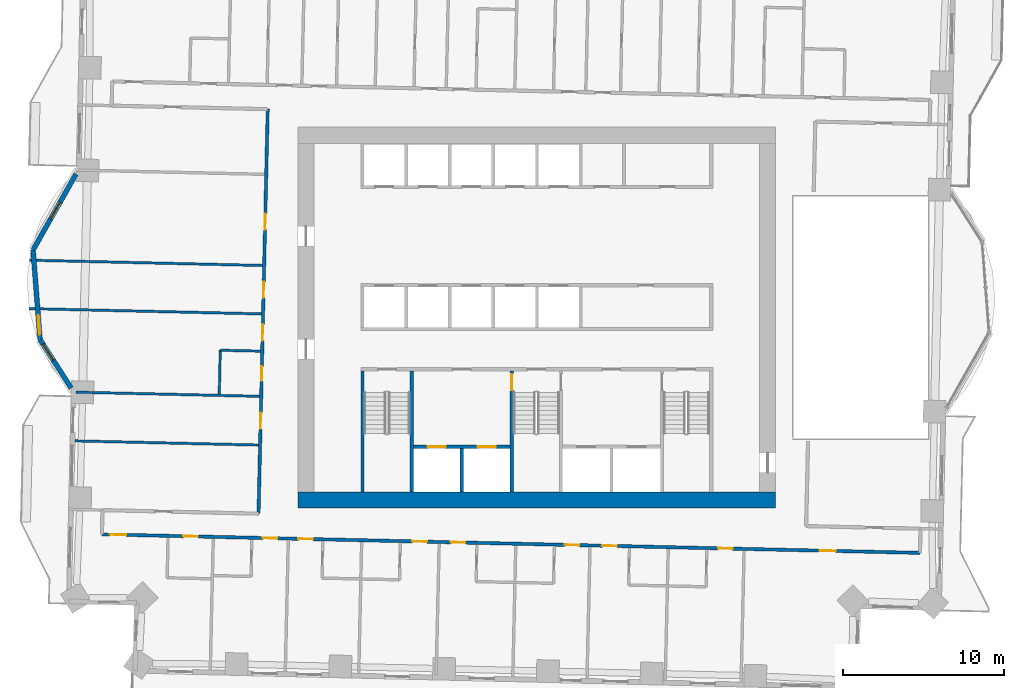
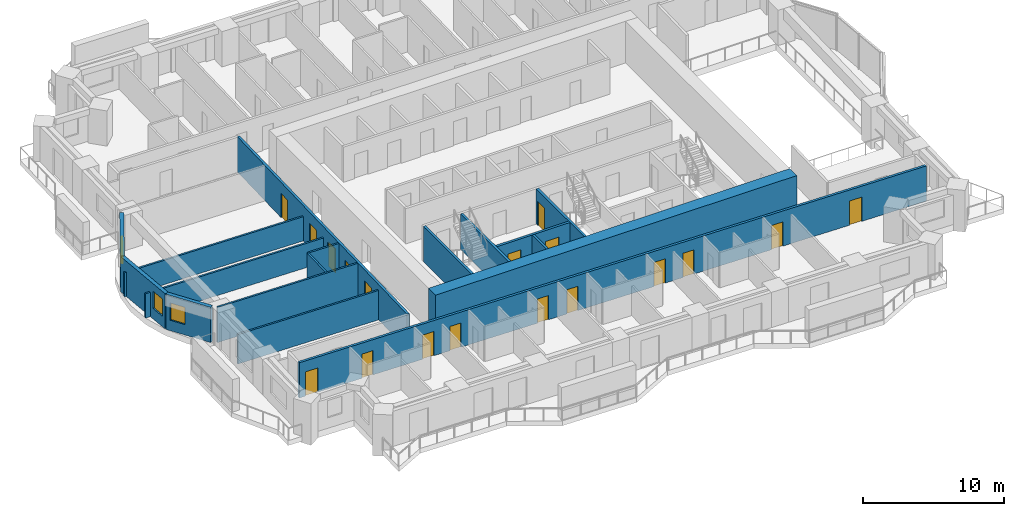
# One storey, part 7 of 16: 18 doors, 17 walls, 3 windows, 21 openings.
"""IFC4 building model written with IfcOpenShell, lengths in metres."""

import ifcopenshell
import ifcopenshell.guid

model = None  # the IFC model being written
_history = None  # IfcOwnerHistory: only IFC2X3 demands one
_inside = {}  # id of a spatial element -> (the spatial element, [elements in it])
_under = {}  # id of a project, library or spatial element -> (it, [spatial elements below it])
_declared = {}  # id of a project -> (the project, [libraries it declares])
_typed = {}  # id of a type object -> (the type object, [elements of that type])
_made_of = {}  # id of a material, layer set ... -> (it, [elements and type objects made of it])


def new_model(schema):
    """Start an empty IFC model of exactly this schema.

    Asked for "IFC4X3", IfcOpenShell would pick the latest addendum, in which some entities
    have other attributes; the version numbers below select the first issue.
    IFC2X3 requires an IfcOwnerHistory on every rooted entity: one is made here for all.
    """
    global model, _history
    if schema == "IFC4X3":
        model = ifcopenshell.file(schema_version=(4, 3, 0, 0))
    else:
        model = ifcopenshell.file(schema=schema)
    _inside.clear()
    _under.clear()
    _declared.clear()
    _typed.clear()
    _made_of.clear()
    _history = None
    if model.schema == "IFC2X3":
        org = make("IfcOrganization", Name="unknown")
        user = make(
            "IfcPersonAndOrganization",
            ThePerson=make("IfcPerson", FamilyName="unknown"),
            TheOrganization=org,
        )
        app = make(
            "IfcApplication",
            ApplicationDeveloper=org,
            Version="unknown",
            ApplicationFullName="unknown",
            ApplicationIdentifier="unknown",
        )
        _history = make(
            "IfcOwnerHistory",
            OwningUser=user,
            OwningApplication=app,
            ChangeAction="ADDED",
            CreationDate=0,
        )
    return model


def make(cls, **values):
    """One entity of the class cls with the attributes given. An attribute that is None is left unset."""
    return model.create_entity(
        cls, **{name: value for name, value in values.items() if value is not None}
    )


def rooted(cls, **values):
    """An entity with a GlobalId (a new one), such as an element, a storey or a relation."""
    return make(cls, GlobalId=ifcopenshell.guid.new(), OwnerHistory=_history, **values)


def si_unit(unit_type, name, prefix=None):
    """IfcSIUnit, for example si_unit("LENGTHUNIT", "METRE", prefix="MILLI")."""
    return make("IfcSIUnit", UnitType=unit_type, Prefix=prefix, Name=name)


def assignment(units):
    """IfcUnitAssignment: the units of a project."""
    return None if units is None else make("IfcUnitAssignment", Units=units)


def point(xyz):
    """IfcCartesianPoint."""
    return None if xyz is None else make("IfcCartesianPoint", Coordinates=xyz)


def direction(xyz):
    """IfcDirection."""
    return None if xyz is None else make("IfcDirection", DirectionRatios=xyz)


def frame(location, z_axis=None, x_axis=None):
    """IfcAxis2Placement3D, a coordinate frame: its origin and axes. An axis left out is left unset."""
    return make(
        "IfcAxis2Placement3D",
        Location=point(location),
        Axis=direction(z_axis),
        RefDirection=direction(x_axis),
    )


def frame_2d(location, x_axis=None):
    """IfcAxis2Placement2D, a coordinate frame in the plane: its origin and x axis."""
    return make(
        "IfcAxis2Placement2D", Location=point(location), RefDirection=direction(x_axis)
    )


def origin():
    """The frame at (0, 0, 0) with its axes left unset."""
    return frame((0.0, 0.0, 0.0))


def place(relative_to, where):
    """IfcLocalPlacement: puts the frame where relative to a parent placement (None: the world)."""
    return make(
        "IfcLocalPlacement", PlacementRelTo=relative_to, RelativePlacement=where
    )


def context(
    kind, dimensions, precision=None, world=None, true_north=None, identifier=None
):
    """IfcGeometricRepresentationContext, for example the 3D "Model" context."""
    return make(
        "IfcGeometricRepresentationContext",
        ContextIdentifier=identifier,
        ContextType=kind,
        CoordinateSpaceDimension=dimensions,
        Precision=precision,
        WorldCoordinateSystem=world,
        TrueNorth=true_north,
    )


def subcontext(parent, identifier, kind, view, scale=None):
    """IfcGeometricRepresentationSubContext, for example "Body" below "Model"."""
    return make(
        "IfcGeometricRepresentationSubContext",
        ContextIdentifier=identifier,
        ContextType=kind,
        ParentContext=parent,
        TargetScale=scale,
        TargetView=view,
    )


def project(units=None, contexts=None):
    """IfcProject with its units and contexts."""
    return rooted(
        "IfcProject",
        Name="project",
        RepresentationContexts=contexts,
        UnitsInContext=assignment(units),
    )


def spatial(cls, under=None, at=None, **own):
    """A site, building, storey or space (cls), placed at a placement, below another one or the project."""
    s = rooted(cls, ObjectPlacement=at, **own)
    if under is not None:
        _under.setdefault(under.id(), (under, []))[1].append(s)
    return s


def profile(cls, at=None, kind="AREA", **sizes):
    """A parametric profile (cls). Its sizes go by their IFC names, for example OverallWidth=200.0."""
    return make(cls, ProfileType=kind, Position=at, **sizes)


def rectangle(**sizes):
    """IfcRectangleProfileDef."""
    return profile("IfcRectangleProfileDef", **sizes)


def extrude(swept, where, along, depth):
    """IfcExtrudedAreaSolid: the profile swept, set in the frame where, extruded along a direction by depth."""
    return make(
        "IfcExtrudedAreaSolid",
        SweptArea=swept,
        Position=where,
        ExtrudedDirection=direction(along),
        Depth=depth,
    )


def shape(context_of_items, identifier, shape_type, items):
    """IfcShapeRepresentation: the items that make up one representation, for example the "Body"."""
    return make(
        "IfcShapeRepresentation",
        ContextOfItems=context_of_items,
        RepresentationIdentifier=identifier,
        RepresentationType=shape_type,
        Items=items,
    )


def material(Name=None, Category=None):
    """IfcMaterial."""
    return make("IfcMaterial", Name=Name, Category=Category)


def layer(
    of_material, thickness, ventilated=None, Name=None, Category=None, Priority=None
):
    """IfcMaterialLayer: one layer of a wall or slab, of a material (None: an air gap)."""
    return make(
        "IfcMaterialLayer",
        Material=of_material,
        LayerThickness=thickness,
        IsVentilated=ventilated,
        Name=Name,
        Category=Category,
        Priority=Priority,
    )


def layer_set(layers, Name=None):
    """IfcMaterialLayerSet."""
    return make("IfcMaterialLayerSet", MaterialLayers=layers, LayerSetName=Name)


def made_of(thing, what):
    """Note that an element or type object is made of a material, layer set ...; save() writes the relation."""
    if what is not None:
        _made_of.setdefault(what.id(), (what, []))[1].append(thing)
    return thing


def type_object(cls, material=None, **own):
    """A type object (cls), such as IfcWallType, which elements share."""
    return made_of(rooted(cls, **own), material)


def element(
    cls,
    number,
    at=None,
    inside=None,
    cuts=None,
    type_object=None,
    material=None,
    context=None,
    identifier="Body",
    shape_type=None,
    held_by="IfcProductDefinitionShape",
    body=None,
    shapes=None,
    **own,
):
    """One element of the class cls, such as IfcWall. Its Tag is "e" and its number.

    at: its placement. inside: the storey or other place that contains it. cuts: it is an
    opening in that element (IfcRelVoidsElement). A single representation is given by context,
    identifier, shape_type and body (its items); several are given by shapes. held_by: the class
    of the entity that holds the representations. save() writes the other relations.
    """
    e = rooted(cls, Tag="e%d" % number, ObjectPlacement=at, **own)
    if body is not None:
        shapes = [shape(context, identifier, shape_type, body)]
    if shapes is not None:
        e.Representation = make(held_by, Representations=shapes)
    if inside is not None:
        _inside.setdefault(inside.id(), (inside, []))[1].append(e)
    if cuts is not None:
        rooted(
            "IfcRelVoidsElement", RelatingBuildingElement=cuts, RelatedOpeningElement=e
        )
    if type_object is not None:
        _typed.setdefault(type_object.id(), (type_object, []))[1].append(e)
    return made_of(e, material)


def fill(opening, filler):
    """IfcRelFillsElement: the door or window that sits in an opening."""
    return rooted(
        "IfcRelFillsElement",
        RelatingOpeningElement=opening,
        RelatedBuildingElement=filler,
    )


def aggregate(whole, parts):
    """IfcRelAggregates: a whole, such as a stair, and the parts it consists of."""
    return rooted("IfcRelAggregates", RelatingObject=whole, RelatedObjects=parts)


def save(model, path):
    """Write the relations noted so far, then the file.

    IfcRelAggregates (storeys below a building ...), IfcRelContainedInSpatialStructure (elements
    in a storey), IfcRelDefinesByType, IfcRelAssociatesMaterial and IfcRelDeclares: one each for
    every whole, place, type object, material and project.
    """
    for whole, parts in _under.values():
        aggregate(whole, parts)
    for where, things in _inside.values():
        rooted(
            "IfcRelContainedInSpatialStructure",
            RelatedElements=things,
            RelatingStructure=where,
        )
    for kind, things in _typed.values():
        rooted("IfcRelDefinesByType", RelatedObjects=things, RelatingType=kind)
    for what, things in _made_of.values():
        rooted("IfcRelAssociatesMaterial", RelatedObjects=things, RelatingMaterial=what)
    for by, libraries in _declared.values():
        rooted("IfcRelDeclares", RelatingContext=by, RelatedDefinitions=libraries)
    model.write(path)


model = new_model("IFC4")

# Units and contexts
model_context = context("Model", 3, precision=1e-05, world=origin(), true_north=direction((0.0, 1.0)))
body_context = subcontext(model_context, "Body", "Model", "MODEL_VIEW")
ifc_project = project(units=[si_unit("LENGTHUNIT", "METRE"), si_unit("AREAUNIT", "SQUARE_METRE"), si_unit("VOLUMEUNIT", "CUBIC_METRE"), si_unit("PLANEANGLEUNIT", "RADIAN"), si_unit("MASSUNIT", "GRAM", prefix="KILO")], contexts=[model_context])

# Site, building, storey
site_placement = place(None, origin())
site = spatial("IfcSite", under=ifc_project, at=site_placement, CompositionType="ELEMENT")
building_placement = place(site_placement, origin())
building = spatial("IfcBuilding", under=site, at=building_placement, Name="Mangrove Gate Tower", CompositionType="ELEMENT")
storey_placement = place(building_placement, frame((0.0, 0.0, 101.89990234375)))
storey = spatial("IfcBuildingStorey", under=building, at=storey_placement, Name="L25", CompositionType="ELEMENT", Elevation=101.89990234375)

# Wall, openings, doors
ifc_material_1 = material(Name="Concrete C70/85", Category="concrete")
ifc_layer_1 = layer(ifc_material_1, 0.199951171875)
ifc_layer_set_1 = layer_set([ifc_layer_1], Name="Core shaft wall 200 C70/85")
wall_type_1 = type_object("IfcWallType", Name="Core shaft wall 200 C70/85", PredefinedType="SHEAR", material=ifc_layer_set_1)
wall_1_placement = place(storey_placement, frame((-7.64990234375, -8.0, 0.0), z_axis=(0.0, 0.0, 1.0), x_axis=(1.0, 0.0, 0.0)))
wall_1 = element("IfcWall", 1, at=wall_1_placement, inside=storey, type_object=wall_type_1, Name="WALL-L25-CORE-15", PredefinedType="SHEAR", context=body_context, shape_type="SweptSolid", body=[
    extrude(rectangle(XDim=6.0, YDim=0.199951171875, at=frame_2d((3.0, 0.0))), origin(), (0.0, 0.0, 1.0), 3.050048828125),
])
opening_1_placement = place(wall_1_placement, frame((0.89990234375, 0.0, 0.0)))
opening_1 = element("IfcOpeningElement", 2, at=opening_1_placement, cuts=wall_1, Name="Opening LD", PredefinedType="OPENING", context=body_context, shape_type="SweptSolid", body=[
    extrude(rectangle(XDim=1.10009765625, YDim=2.10009765625, at=frame_2d((0.550048828125, 1.050048828125))), frame((0.0, 0.10986328125, 0.0), z_axis=(0.0, -1.0, 0.0), x_axis=(1.0, 0.0, 0.0)), (0.0, 0.0, 1.0), 0.219970703125),
])
opening_2_placement = place(wall_1_placement, frame((4.0, 0.0, 0.0)))
opening_2 = element("IfcOpeningElement", 3, at=opening_2_placement, cuts=wall_1, Name="Opening LD", PredefinedType="OPENING", context=body_context, shape_type="SweptSolid", body=[
    extrude(rectangle(XDim=1.10009765625, YDim=2.10009765625, at=frame_2d((0.550048828125, 1.050048828125))), frame((0.0, 0.10986328125, 0.0), z_axis=(0.0, -1.0, 0.0), x_axis=(1.0, 0.0, 0.0)), (0.0, 0.0, 1.0), 0.219970703125),
])
ifc_material_2 = material(Name="Stainless steel 316", Category="steel")
door_type_1 = type_object("IfcDoorType", Name="Lift landing door 1100x2100", OperationType="SLIDING_TO_LEFT", PredefinedType="DOOR", material=ifc_material_2)
door_1_placement = place(opening_1_placement, origin())
door_1 = element("IfcDoor", 4, at=door_1_placement, inside=storey, type_object=door_type_1, Name="Landing door LD SVL1", OperationType="SLIDING_TO_LEFT", OverallHeight=2.10009765625, OverallWidth=1.10009765625, PredefinedType="DOOR", context=body_context, shape_type="SweptSolid", body=[
    extrude(rectangle(XDim=1.10009765625, YDim=2.10009765625, at=frame_2d((0.550048828125, 1.050048828125))), frame((0.0, 0.02490234375, 0.0), z_axis=(0.0, -1.0, 0.0), x_axis=(1.0, 0.0, 0.0)), (0.0, 0.0, 1.0), 0.050048828125),
])
fill(opening_1, door_1)
door_2_placement = place(opening_2_placement, origin())
door_2 = element("IfcDoor", 5, at=door_2_placement, inside=storey, type_object=door_type_1, Name="Landing door LD SVL2", OperationType="SLIDING_TO_LEFT", OverallHeight=2.10009765625, OverallWidth=1.10009765625, PredefinedType="DOOR", context=body_context, shape_type="SweptSolid", body=[
    extrude(rectangle(XDim=1.10009765625, YDim=2.10009765625, at=frame_2d((0.550048828125, 1.050048828125))), frame((0.0, 0.02490234375, 0.0), z_axis=(0.0, -1.0, 0.0), x_axis=(1.0, 0.0, 0.0)), (0.0, 0.0, 1.0), 0.050048828125),
])
fill(opening_2, door_2)

# Walls
wall_2_placement = place(storey_placement, frame((-4.64990234375, -10.800048828125, 0.0), z_axis=(0.0, 0.0, 1.0), x_axis=(0.0, 1.0, 0.0)))
element("IfcWall", 6, at=wall_2_placement, inside=storey, type_object=wall_type_1, Name="WALL-L25-CORE-16", PredefinedType="SHEAR", context=body_context, shape_type="SweptSolid", body=[
    extrude(rectangle(XDim=2.699951171875, YDim=0.199951171875, at=frame_2d((1.35009765625, 0.0))), origin(), (0.0, 0.0, 1.0), 3.050048828125),
])
ifc_material_3 = material(Name="Concrete C70/85", Category="concrete")
ifc_layer_2 = layer(ifc_material_3, 0.199951171875)
ifc_layer_set_2 = layer_set([ifc_layer_2], Name="Core stair wall 200 C70/85")
wall_type_2 = type_object("IfcWallType", Name="Core stair wall 200 C70/85", PredefinedType="SHEAR", material=ifc_layer_set_2)
for number, where, z_axis, x_axis, name in (
    (7, (-10.800048828125, -10.800048828125, 0.0), (0.0, 0.0, 1.0), (0.0, 1.0, 0.0), "WALL-L25-CORE-9"),
    (8, (-7.75, -10.800048828125, 0.0), (0.0, 0.0, 1.0), (0.0, 1.0, 0.0), "WALL-L25-CORE-10"),
):
    element("IfcWall", number, at=place(storey_placement, frame(where, z_axis=z_axis, x_axis=x_axis)), inside=storey, type_object=wall_type_2, Name=name, PredefinedType="SHEAR", context=body_context, shape_type="SweptSolid", body=[
        extrude(rectangle(XDim=7.5, YDim=0.199951171875, at=frame_2d((3.75, 0.0))), origin(), (0.0, 0.0, 1.0), 3.050048828125),
    ])

# Wall, opening, door
wall_3_placement = place(storey_placement, frame((-1.550048828125, -10.800048828125, 0.0), z_axis=(0.0, 0.0, 1.0), x_axis=(0.0, 1.0, 0.0)))
wall_3 = element("IfcWall", 9, at=wall_3_placement, inside=storey, type_object=wall_type_2, Name="WALL-L25-CORE-11", PredefinedType="SHEAR", context=body_context, shape_type="SweptSolid", body=[
    extrude(rectangle(XDim=7.5, YDim=0.199951171875, at=frame_2d((3.75, 0.0))), origin(), (0.0, 0.0, 1.0), 3.050048828125),
])
opening_3_placement = place(wall_3_placement, frame((6.300048828125, 0.0, 0.0)))
opening_3 = element("IfcOpeningElement", 10, at=opening_3_placement, cuts=wall_3, Name="Opening STD10", PredefinedType="OPENING", context=body_context, shape_type="SweptSolid", body=[
    extrude(rectangle(XDim=1.0, YDim=2.10009765625, at=frame_2d((0.5, 1.050048828125))), frame((0.0, 0.10986328125, 0.0), z_axis=(0.0, -1.0, 0.0), x_axis=(1.0, 0.0, 0.0)), (0.0, 0.0, 1.0), 0.219970703125),
])
ifc_material_4 = material(Name="Fire-rated steel door set", Category="steel")
door_type_2 = type_object("IfcDoorType", Name="Stair door FD60 1000x2100", OperationType="SINGLE_SWING_RIGHT", PredefinedType="DOOR", material=ifc_material_4)
door_3_placement = place(opening_3_placement, origin())
door_3 = element("IfcDoor", 11, at=door_3_placement, inside=storey, type_object=door_type_2, Name="Stair door Stair 2 from service lobby", OperationType="SINGLE_SWING_RIGHT", OverallHeight=2.10009765625, OverallWidth=1.0, PredefinedType="DOOR", context=body_context, shape_type="SweptSolid", body=[
    extrude(rectangle(XDim=1.0, YDim=2.10009765625, at=frame_2d((0.5, 1.050048828125))), frame((0.0, 0.02490234375, 0.0), z_axis=(0.0, -1.0, 0.0), x_axis=(1.0, 0.0, 0.0)), (0.0, 0.0, 1.0), 0.050048828125),
])
fill(opening_3, door_3)

# Wall
ifc_material_5 = material(Name="Concrete C70/85", Category="concrete")
ifc_layer_3 = layer(ifc_material_5, 1.0)
ifc_layer_set_3 = layer_set([ifc_layer_3], Name="Core wall 1000 C70/85")
wall_type_3 = type_object("IfcWallType", Name="Core wall 1000 C70/85", PredefinedType="SHEAR", material=ifc_layer_set_3)
wall_4_placement = place(storey_placement, frame((-14.800048828125, -11.300048828125, 0.0), z_axis=(0.0, 0.0, 1.0), x_axis=(1.0, 0.0, 0.0)))
element("IfcWall", 12, at=wall_4_placement, inside=storey, type_object=wall_type_3, Name="WALL-L25-CORE-1", PredefinedType="SHEAR", context=body_context, shape_type="SweptSolid", body=[
    extrude(rectangle(XDim=29.60009765625, YDim=1.0, at=frame_2d((14.800048828125, 0.0))), origin(), (0.0, 0.0, 1.0), 3.60009765625),
])

# Wall, openings, doors
ifc_material_6 = material(Name="Gypsum board on steel stud, EI 60", Category="steel")
ifc_layer_4 = layer(ifc_material_6, 0.199951171875)
ifc_layer_set_4 = layer_set([ifc_layer_4], Name="Corridor wall EI 60")
wall_type_4 = type_object("IfcWallType", Name="Corridor wall EI 60", PredefinedType="PARTITIONING", material=ifc_layer_set_4)
wall_5_placement = place(storey_placement, frame((-26.952880859375, -13.428955078125, 0.0), z_axis=(0.0, 0.0, 1.0), x_axis=(0.999742734556, -0.02268181435, 0.0)))
wall_5 = element("IfcWall", 13, at=wall_5_placement, inside=storey, type_object=wall_type_4, Name="WALL-L25-022", PredefinedType="PARTITIONING", context=body_context, shape_type="SweptSolid", body=[
    extrude(rectangle(XDim=50.707763671875, YDim=0.199951171875, at=frame_2d((25.35400390625, 0.0))), origin(), (0.0, 0.0, 1.0), 3.050048828125),
])
opening_4_placement = place(wall_5_placement, frame((0.5, 0.0, 0.0)))
opening_4 = element("IfcOpeningElement", 14, at=opening_4_placement, cuts=wall_5, Name="Opening AD", PredefinedType="OPENING", context=body_context, shape_type="SweptSolid", body=[
    extrude(rectangle(XDim=1.0, YDim=2.10009765625, at=frame_2d((0.5, 1.050048828125))), frame((0.0, 0.10986328125, 0.0), z_axis=(0.0, -1.0, 0.0), x_axis=(1.0, 0.0, 0.0)), (0.0, 0.0, 1.0), 0.219970703125),
])
opening_5_placement = place(wall_5_placement, frame((5.050048828125, 0.0, 0.0)))
opening_5 = element("IfcOpeningElement", 15, at=opening_5_placement, cuts=wall_5, Name="Opening SD", PredefinedType="OPENING", context=body_context, shape_type="SweptSolid", body=[
    extrude(rectangle(XDim=0.89990234375, YDim=2.10009765625, at=frame_2d((0.449951171875, 1.050048828125))), frame((0.0, 0.10986328125, 0.0), z_axis=(0.0, -1.0, 0.0), x_axis=(1.0, 0.0, 0.0)), (0.0, 0.0, 1.0), 0.219970703125),
])
opening_6_placement = place(wall_5_placement, frame((9.97509765625, 0.0, 0.0)))
opening_6 = element("IfcOpeningElement", 16, at=opening_6_placement, cuts=wall_5, Name="Opening BD", PredefinedType="OPENING", context=body_context, shape_type="SweptSolid", body=[
    extrude(rectangle(XDim=0.89990234375, YDim=2.10009765625, at=frame_2d((0.449951171875, 1.050048828125))), frame((0.0, 0.10986328125, 0.0), z_axis=(0.0, -1.0, 0.0), x_axis=(1.0, 0.0, 0.0)), (0.0, 0.0, 1.0), 0.219970703125),
])
opening_7_placement = place(wall_5_placement, frame((12.175048828125, 0.0, 0.0)))
opening_7 = element("IfcOpeningElement", 17, at=opening_7_placement, cuts=wall_5, Name="Opening BD", PredefinedType="OPENING", context=body_context, shape_type="SweptSolid", body=[
    extrude(rectangle(XDim=0.89990234375, YDim=2.10009765625, at=frame_2d((0.449951171875, 1.050048828125))), frame((0.0, 0.10986328125, 0.0), z_axis=(0.0, -1.0, 0.0), x_axis=(1.0, 0.0, 0.0)), (0.0, 0.0, 1.0), 0.219970703125),
])
opening_8_placement = place(wall_5_placement, frame((19.25, 0.0, 0.0)))
opening_8 = element("IfcOpeningElement", 18, at=opening_8_placement, cuts=wall_5, Name="Opening BD", PredefinedType="OPENING", context=body_context, shape_type="SweptSolid", body=[
    extrude(rectangle(XDim=0.89990234375, YDim=2.10009765625, at=frame_2d((0.449951171875, 1.050048828125))), frame((0.0, 0.10986328125, 0.0), z_axis=(0.0, -1.0, 0.0), x_axis=(1.0, 0.0, 0.0)), (0.0, 0.0, 1.0), 0.219970703125),
])
opening_9_placement = place(wall_5_placement, frame((21.625, 0.0, 0.0)))
opening_9 = element("IfcOpeningElement", 19, at=opening_9_placement, cuts=wall_5, Name="Opening BD", PredefinedType="OPENING", context=body_context, shape_type="SweptSolid", body=[
    extrude(rectangle(XDim=0.89990234375, YDim=2.10009765625, at=frame_2d((0.449951171875, 1.050048828125))), frame((0.0, 0.10986328125, 0.0), z_axis=(0.0, -1.0, 0.0), x_axis=(1.0, 0.0, 0.0)), (0.0, 0.0, 1.0), 0.219970703125),
])
opening_10_placement = place(wall_5_placement, frame((28.699951171875, 0.0, 0.0)))
opening_10 = element("IfcOpeningElement", 20, at=opening_10_placement, cuts=wall_5, Name="Opening BD", PredefinedType="OPENING", context=body_context, shape_type="SweptSolid", body=[
    extrude(rectangle(XDim=0.89990234375, YDim=2.10009765625, at=frame_2d((0.449951171875, 1.050048828125))), frame((0.0, 0.10986328125, 0.0), z_axis=(0.0, -1.0, 0.0), x_axis=(1.0, 0.0, 0.0)), (0.0, 0.0, 1.0), 0.219970703125),
])
opening_11_placement = place(wall_5_placement, frame((31.02490234375, 0.0, 0.0)))
opening_11 = element("IfcOpeningElement", 21, at=opening_11_placement, cuts=wall_5, Name="Opening BD", PredefinedType="OPENING", context=body_context, shape_type="SweptSolid", body=[
    extrude(rectangle(XDim=0.89990234375, YDim=2.10009765625, at=frame_2d((0.449951171875, 1.050048828125))), frame((0.0, 0.10986328125, 0.0), z_axis=(0.0, -1.0, 0.0), x_axis=(1.0, 0.0, 0.0)), (0.0, 0.0, 1.0), 0.219970703125),
])
opening_12_placement = place(wall_5_placement, frame((38.199951171875, 0.0, 0.0)))
opening_12 = element("IfcOpeningElement", 22, at=opening_12_placement, cuts=wall_5, Name="Opening BD", PredefinedType="OPENING", context=body_context, shape_type="SweptSolid", body=[
    extrude(rectangle(XDim=0.89990234375, YDim=2.10009765625, at=frame_2d((0.449951171875, 1.050048828125))), frame((0.0, 0.10986328125, 0.0), z_axis=(0.0, -1.0, 0.0), x_axis=(1.0, 0.0, 0.0)), (0.0, 0.0, 1.0), 0.219970703125),
])
opening_13_placement = place(wall_5_placement, frame((44.48388671875, 0.0, 0.0)))
opening_13 = element("IfcOpeningElement", 23, at=opening_13_placement, cuts=wall_5, Name="Opening AD", PredefinedType="OPENING", context=body_context, shape_type="SweptSolid", body=[
    extrude(rectangle(XDim=1.0, YDim=2.10009765625, at=frame_2d((0.5, 1.050048828125))), frame((0.0, 0.10986328125, 0.0), z_axis=(0.0, -1.0, 0.0), x_axis=(1.0, 0.0, 0.0)), (0.0, 0.0, 1.0), 0.219970703125),
])
ifc_material_7 = material(Name="Timber door leaf", Category="wood")
door_type_3 = type_object("IfcDoorType", Name="Amenity door 1000", OperationType="SINGLE_SWING_LEFT", PredefinedType="DOOR", material=ifc_material_7)
door_4_placement = place(opening_4_placement, origin())
door_4 = element("IfcDoor", 24, at=door_4_placement, inside=storey, type_object=door_type_3, Name="DOOR-L25-KIT-c1a", OperationType="SINGLE_SWING_LEFT", OverallHeight=2.10009765625, OverallWidth=1.0, PredefinedType="DOOR", context=body_context, shape_type="SweptSolid", body=[
    extrude(rectangle(XDim=1.0, YDim=2.10009765625, at=frame_2d((0.5, 1.050048828125))), frame((0.0, 0.02490234375, 0.0), z_axis=(0.0, -1.0, 0.0), x_axis=(1.0, 0.0, 0.0)), (0.0, 0.0, 1.0), 0.050048828125),
])
fill(opening_4, door_4)
door_5_placement = place(opening_13_placement, origin())
door_5 = element("IfcDoor", 25, at=door_5_placement, inside=storey, type_object=door_type_3, Name="DOOR-L25-LNG-c3a", OperationType="SINGLE_SWING_RIGHT", OverallHeight=2.10009765625, OverallWidth=1.0, PredefinedType="DOOR", context=body_context, shape_type="SweptSolid", body=[
    extrude(rectangle(XDim=1.0, YDim=2.10009765625, at=frame_2d((0.5, 1.050048828125))), frame((0.0, 0.02490234375, 0.0), z_axis=(0.0, -1.0, 0.0), x_axis=(1.0, 0.0, 0.0)), (0.0, 0.0, 1.0), 0.050048828125),
])
fill(opening_13, door_5)
ifc_material_8 = material(Name="Timber door leaf", Category="wood")
door_type_4 = type_object("IfcDoorType", Name="Bedroom door 900", OperationType="SINGLE_SWING_LEFT", PredefinedType="DOOR", material=ifc_material_8)
door_6_placement = place(opening_6_placement, origin())
door_6 = element("IfcDoor", 26, at=door_6_placement, inside=storey, type_object=door_type_4, Name="DOOR-L25-BED-c101", OperationType="SINGLE_SWING_LEFT", OverallHeight=2.10009765625, OverallWidth=0.89990234375, PredefinedType="DOOR", context=body_context, shape_type="SweptSolid", body=[
    extrude(rectangle(XDim=0.89990234375, YDim=2.10009765625, at=frame_2d((0.449951171875, 1.050048828125))), frame((0.0, 0.02490234375, 0.0), z_axis=(0.0, -1.0, 0.0), x_axis=(1.0, 0.0, 0.0)), (0.0, 0.0, 1.0), 0.050048828125),
])
fill(opening_6, door_6)
door_7_placement = place(opening_7_placement, origin())
door_7 = element("IfcDoor", 27, at=door_7_placement, inside=storey, type_object=door_type_4, Name="DOOR-L25-BED-c102", OperationType="SINGLE_SWING_RIGHT", OverallHeight=2.10009765625, OverallWidth=0.89990234375, PredefinedType="DOOR", context=body_context, shape_type="SweptSolid", body=[
    extrude(rectangle(XDim=0.89990234375, YDim=2.10009765625, at=frame_2d((0.449951171875, 1.050048828125))), frame((0.0, 0.02490234375, 0.0), z_axis=(0.0, -1.0, 0.0), x_axis=(1.0, 0.0, 0.0)), (0.0, 0.0, 1.0), 0.050048828125),
])
fill(opening_7, door_7)
door_8_placement = place(opening_8_placement, origin())
door_8 = element("IfcDoor", 28, at=door_8_placement, inside=storey, type_object=door_type_4, Name="DOOR-L25-BED-c103", OperationType="SINGLE_SWING_LEFT", OverallHeight=2.10009765625, OverallWidth=0.89990234375, PredefinedType="DOOR", context=body_context, shape_type="SweptSolid", body=[
    extrude(rectangle(XDim=0.89990234375, YDim=2.10009765625, at=frame_2d((0.449951171875, 1.050048828125))), frame((0.0, 0.02490234375, 0.0), z_axis=(0.0, -1.0, 0.0), x_axis=(1.0, 0.0, 0.0)), (0.0, 0.0, 1.0), 0.050048828125),
])
fill(opening_8, door_8)
door_9_placement = place(opening_9_placement, origin())
door_9 = element("IfcDoor", 29, at=door_9_placement, inside=storey, type_object=door_type_4, Name="DOOR-L25-BED-c204", OperationType="SINGLE_SWING_RIGHT", OverallHeight=2.10009765625, OverallWidth=0.89990234375, PredefinedType="DOOR", context=body_context, shape_type="SweptSolid", body=[
    extrude(rectangle(XDim=0.89990234375, YDim=2.10009765625, at=frame_2d((0.449951171875, 1.050048828125))), frame((0.0, 0.02490234375, 0.0), z_axis=(0.0, -1.0, 0.0), x_axis=(1.0, 0.0, 0.0)), (0.0, 0.0, 1.0), 0.050048828125),
])
fill(opening_9, door_9)
door_10_placement = place(opening_10_placement, origin())
door_10 = element("IfcDoor", 30, at=door_10_placement, inside=storey, type_object=door_type_4, Name="DOOR-L25-BED-c205", OperationType="SINGLE_SWING_LEFT", OverallHeight=2.10009765625, OverallWidth=0.89990234375, PredefinedType="DOOR", context=body_context, shape_type="SweptSolid", body=[
    extrude(rectangle(XDim=0.89990234375, YDim=2.10009765625, at=frame_2d((0.449951171875, 1.050048828125))), frame((0.0, 0.02490234375, 0.0), z_axis=(0.0, -1.0, 0.0), x_axis=(1.0, 0.0, 0.0)), (0.0, 0.0, 1.0), 0.050048828125),
])
fill(opening_10, door_10)
door_11_placement = place(opening_11_placement, origin())
door_11 = element("IfcDoor", 31, at=door_11_placement, inside=storey, type_object=door_type_4, Name="DOOR-L25-BED-c206", OperationType="SINGLE_SWING_RIGHT", OverallHeight=2.10009765625, OverallWidth=0.89990234375, PredefinedType="DOOR", context=body_context, shape_type="SweptSolid", body=[
    extrude(rectangle(XDim=0.89990234375, YDim=2.10009765625, at=frame_2d((0.449951171875, 1.050048828125))), frame((0.0, 0.02490234375, 0.0), z_axis=(0.0, -1.0, 0.0), x_axis=(1.0, 0.0, 0.0)), (0.0, 0.0, 1.0), 0.050048828125),
])
fill(opening_11, door_11)
door_12_placement = place(opening_12_placement, origin())
door_12 = element("IfcDoor", 32, at=door_12_placement, inside=storey, type_object=door_type_4, Name="DOOR-L25-BED-c307", OperationType="SINGLE_SWING_LEFT", OverallHeight=2.10009765625, OverallWidth=0.89990234375, PredefinedType="DOOR", context=body_context, shape_type="SweptSolid", body=[
    extrude(rectangle(XDim=0.89990234375, YDim=2.10009765625, at=frame_2d((0.449951171875, 1.050048828125))), frame((0.0, 0.02490234375, 0.0), z_axis=(0.0, -1.0, 0.0), x_axis=(1.0, 0.0, 0.0)), (0.0, 0.0, 1.0), 0.050048828125),
])
fill(opening_12, door_12)
ifc_material_9 = material(Name="Timber door leaf", Category="wood")
door_type_5 = type_object("IfcDoorType", Name="Service room door 900", OperationType="SINGLE_SWING_LEFT", PredefinedType="DOOR", material=ifc_material_9)
door_13_placement = place(opening_5_placement, origin())
door_13 = element("IfcDoor", 33, at=door_13_placement, inside=storey, type_object=door_type_5, Name="DOOR-L25-LDY-c1a", OperationType="SINGLE_SWING_LEFT", OverallHeight=2.10009765625, OverallWidth=0.89990234375, PredefinedType="DOOR", context=body_context, shape_type="SweptSolid", body=[
    extrude(rectangle(XDim=0.89990234375, YDim=2.10009765625, at=frame_2d((0.449951171875, 1.050048828125))), frame((0.0, 0.02490234375, 0.0), z_axis=(0.0, -1.0, 0.0), x_axis=(1.0, 0.0, 0.0)), (0.0, 0.0, 1.0), 0.050048828125),
])
fill(opening_5, door_13)

wall_6_placement = place(storey_placement, frame((-17.2470703125, -12.14892578125, 0.0), z_axis=(0.0, 0.0, 1.0), x_axis=(0.022696191528, 0.999742408268, 0.0)))
wall_6 = element("IfcWall", 34, at=wall_6_placement, inside=storey, type_object=wall_type_4, Name="WALL-L25-027", PredefinedType="PARTITIONING", context=body_context, shape_type="SweptSolid", body=[
    extrude(rectangle(XDim=25.07421875, YDim=0.199951171875, at=frame_2d((12.537109375, 0.0))), origin(), (0.0, 0.0, 1.0), 3.050048828125),
])
opening_14_placement = place(wall_6_placement, frame((17.60400390625, 0.0, 0.0)))
opening_14 = element("IfcOpeningElement", 35, at=opening_14_placement, cuts=wall_6, Name="Opening AD", PredefinedType="OPENING", context=body_context, shape_type="SweptSolid", body=[
    extrude(rectangle(XDim=1.0, YDim=2.10009765625, at=frame_2d((0.5, 1.050048828125))), frame((0.0, 0.10986328125, 0.0), z_axis=(0.0, -1.0, 0.0), x_axis=(1.0, 0.0, 0.0)), (0.0, 0.0, 1.0), 0.219970703125),
])
opening_15_placement = place(wall_6_placement, frame((13.3759765625, 0.0, 0.0)))
opening_15 = element("IfcOpeningElement", 36, at=opening_15_placement, cuts=wall_6, Name="Opening AD", PredefinedType="OPENING", context=body_context, shape_type="SweptSolid", body=[
    extrude(rectangle(XDim=1.0, YDim=2.10009765625, at=frame_2d((0.5, 1.050048828125))), frame((0.0, 0.10986328125, 0.0), z_axis=(0.0, -1.0, 0.0), x_axis=(1.0, 0.0, 0.0)), (0.0, 0.0, 1.0), 0.219970703125),
])
opening_16_placement = place(wall_6_placement, frame((10.72509765625, 0.0, 0.0)))
opening_16 = element("IfcOpeningElement", 37, at=opening_16_placement, cuts=wall_6, Name="Opening AD", PredefinedType="OPENING", context=body_context, shape_type="SweptSolid", body=[
    extrude(rectangle(XDim=1.0, YDim=2.10009765625, at=frame_2d((0.5, 1.050048828125))), frame((0.0, 0.10986328125, 0.0), z_axis=(0.0, -1.0, 0.0), x_axis=(1.0, 0.0, 0.0)), (0.0, 0.0, 1.0), 0.219970703125),
])
opening_17_placement = place(wall_6_placement, frame((8.22509765625, 0.0, 0.0)))
opening_17 = element("IfcOpeningElement", 38, at=opening_17_placement, cuts=wall_6, Name="Opening SD", PredefinedType="OPENING", context=body_context, shape_type="SweptSolid", body=[
    extrude(rectangle(XDim=0.89990234375, YDim=2.10009765625, at=frame_2d((0.449951171875, 1.050048828125))), frame((0.0, 0.10986328125, 0.0), z_axis=(0.0, -1.0, 0.0), x_axis=(1.0, 0.0, 0.0)), (0.0, 0.0, 1.0), 0.219970703125),
])
opening_18_placement = place(wall_6_placement, frame((5.261962890625, 0.0, 0.0)))
opening_18 = element("IfcOpeningElement", 39, at=opening_18_placement, cuts=wall_6, Name="Opening AD", PredefinedType="OPENING", context=body_context, shape_type="SweptSolid", body=[
    extrude(rectangle(XDim=1.0, YDim=2.10009765625, at=frame_2d((0.5, 1.050048828125))), frame((0.0, 0.10986328125, 0.0), z_axis=(0.0, -1.0, 0.0), x_axis=(1.0, 0.0, 0.0)), (0.0, 0.0, 1.0), 0.219970703125),
])
door_14_placement = place(opening_14_placement, origin())
door_14 = element("IfcDoor", 40, at=door_14_placement, inside=storey, type_object=door_type_3, Name="DOOR-L25-GAM-c5b", OperationType="SINGLE_SWING_RIGHT", OverallHeight=2.10009765625, OverallWidth=1.0, PredefinedType="DOOR", context=body_context, shape_type="SweptSolid", body=[
    extrude(rectangle(XDim=1.0, YDim=2.10009765625, at=frame_2d((0.5, 1.050048828125))), frame((0.0, 0.02490234375, 0.0), z_axis=(0.0, -1.0, 0.0), x_axis=(1.0, 0.0, 0.0)), (0.0, 0.0, 1.0), 0.050048828125),
])
fill(opening_14, door_14)
door_15_placement = place(opening_15_placement, origin())
door_15 = element("IfcDoor", 41, at=door_15_placement, inside=storey, type_object=door_type_3, Name="DOOR-L25-STU-c5a", OperationType="SINGLE_SWING_LEFT", OverallHeight=2.10009765625, OverallWidth=1.0, PredefinedType="DOOR", context=body_context, shape_type="SweptSolid", body=[
    extrude(rectangle(XDim=1.0, YDim=2.10009765625, at=frame_2d((0.5, 1.050048828125))), frame((0.0, 0.02490234375, 0.0), z_axis=(0.0, -1.0, 0.0), x_axis=(1.0, 0.0, 0.0)), (0.0, 0.0, 1.0), 0.050048828125),
])
fill(opening_15, door_15)
door_16_placement = place(opening_16_placement, origin())
door_16 = element("IfcDoor", 42, at=door_16_placement, inside=storey, type_object=door_type_3, Name="DOOR-L25-KIT-c5b", OperationType="SINGLE_SWING_RIGHT", OverallHeight=2.10009765625, OverallWidth=1.0, PredefinedType="DOOR", context=body_context, shape_type="SweptSolid", body=[
    extrude(rectangle(XDim=1.0, YDim=2.10009765625, at=frame_2d((0.5, 1.050048828125))), frame((0.0, 0.02490234375, 0.0), z_axis=(0.0, -1.0, 0.0), x_axis=(1.0, 0.0, 0.0)), (0.0, 0.0, 1.0), 0.050048828125),
])
fill(opening_16, door_16)
door_17_placement = place(opening_18_placement, origin())
door_17 = element("IfcDoor", 43, at=door_17_placement, inside=storey, type_object=door_type_3, Name="DOOR-L25-STU-c5b", OperationType="SINGLE_SWING_LEFT", OverallHeight=2.10009765625, OverallWidth=1.0, PredefinedType="DOOR", context=body_context, shape_type="SweptSolid", body=[
    extrude(rectangle(XDim=1.0, YDim=2.10009765625, at=frame_2d((0.5, 1.050048828125))), frame((0.0, 0.02490234375, 0.0), z_axis=(0.0, -1.0, 0.0), x_axis=(1.0, 0.0, 0.0)), (0.0, 0.0, 1.0), 0.050048828125),
])
fill(opening_18, door_17)
door_18_placement = place(opening_17_placement, origin())
door_18 = element("IfcDoor", 44, at=door_18_placement, inside=storey, type_object=door_type_5, Name="DOOR-L25-LDY-c5a", OperationType="SINGLE_SWING_RIGHT", OverallHeight=2.10009765625, OverallWidth=0.89990234375, PredefinedType="DOOR", context=body_context, shape_type="SweptSolid", body=[
    extrude(rectangle(XDim=0.89990234375, YDim=2.10009765625, at=frame_2d((0.449951171875, 1.050048828125))), frame((0.0, 0.02490234375, 0.0), z_axis=(0.0, -1.0, 0.0), x_axis=(1.0, 0.0, 0.0)), (0.0, 0.0, 1.0), 0.050048828125),
])
fill(opening_17, door_18)

# Wall, opening, window
ifc_material_10 = material(Name="Limestone", Category="masonry")
ifc_layer_5 = layer(ifc_material_10, 0.0400390625, Name="Limestone cladding")
ifc_material_11 = material(Name="Ventilated air gap")
ifc_layer_6 = layer(ifc_material_11, 0.0400390625, Name="Ventilated cavity")
ifc_material_12 = material(Name="Mineral wool insulation")
ifc_layer_7 = layer(ifc_material_12, 0.06005859375, Name="Insulation")
ifc_material_13 = material(Name="Breather membrane")
ifc_layer_8 = layer(ifc_material_13, 0.001953125, Name="Breather membrane")
ifc_material_14 = material(Name="Concrete C20/25 blockwork", Category="masonry")
ifc_layer_9 = layer(ifc_material_14, 0.14990234375, Name="Blockwork backing wall")
ifc_material_15 = material(Name="Gypsum plaster")
ifc_layer_10 = layer(ifc_material_15, 0.008056640625, Name="Internal plaster")
ifc_layer_set_5 = layer_set([ifc_layer_5, ifc_layer_6, ifc_layer_7, ifc_layer_8, ifc_layer_9, ifc_layer_10], Name="External wall 300 limestone cladding")
wall_type_5 = type_object("IfcWallType", Name="External wall 300 limestone cladding", PredefinedType="SOLIDWALL", material=ifc_layer_set_5)
wall_7_placement = place(storey_placement, frame((-28.556884765625, 8.89404296875, 0.0), z_axis=(0.0, 0.0, 1.0), x_axis=(-0.492589172415, -0.8702619762, 0.0)))
wall_7 = element("IfcWall", 45, at=wall_7_placement, inside=storey, type_object=wall_type_5, Name="WALL-L25-W9f1", PredefinedType="SOLIDWALL", context=body_context, shape_type="SweptSolid", body=[
    extrude(rectangle(XDim=5.3984375, YDim=0.300048828125, at=frame_2d((2.69921875, 0.0))), origin(), (0.0, 0.0, 1.0), 3.050048828125),
])
opening_19_placement = place(wall_7_placement, frame((2.008056640625, 0.0, 0.89990234375)))
opening_19 = element("IfcOpeningElement", 46, at=opening_19_placement, cuts=wall_7, Name="Opening W1", PredefinedType="OPENING", context=body_context, shape_type="SweptSolid", body=[
    extrude(rectangle(XDim=1.199951171875, YDim=1.5, at=frame_2d((0.60009765625, 0.75))), frame((0.0, 0.159912109375, 0.0), z_axis=(0.0, -1.0, 0.0), x_axis=(1.0, 0.0, 0.0)), (0.0, 0.0, 1.0), 0.320068359375),
])
ifc_material_16 = material(Name="Aluminium frame with double-glazed low-e glass", Category="aluminium")
window_type = type_object("IfcWindowType", Name="Side lite 1200x1500", PartitioningType="SINGLE_PANEL", PredefinedType="WINDOW", material=ifc_material_16)
window_1_placement = place(opening_19_placement, origin())
window_1 = element("IfcWindow", 47, at=window_1_placement, inside=storey, type_object=window_type, Name="WIN-L25-W9f1", OverallHeight=1.5, OverallWidth=1.199951171875, PartitioningType="SINGLE_PANEL", PredefinedType="WINDOW", context=body_context, shape_type="SweptSolid", body=[
    extrude(rectangle(XDim=1.199951171875, YDim=1.5, at=frame_2d((0.60009765625, 0.75))), frame((0.0, 0.030029296875, 0.0), z_axis=(0.0, -1.0, 0.0), x_axis=(1.0, 0.0, 0.0)), (0.0, 0.0, 1.0), 0.06005859375),
])
fill(opening_19, window_1)

wall_8_placement = place(storey_placement, frame((-31.216064453125, 4.196044921875, 0.0), z_axis=(0.0, 0.0, 1.0), x_axis=(0.077178825362, -0.997017266107, 0.0)))
wall_8 = element("IfcWall", 48, at=wall_8_placement, inside=storey, type_object=wall_type_5, Name="WALL-L25-W9f2", PredefinedType="SOLIDWALL", context=body_context, shape_type="SweptSolid", body=[
    extrude(rectangle(XDim=5.57373046875, YDim=0.300048828125, at=frame_2d((2.786865234375, 0.0))), origin(), (0.0, 0.0, 1.0), 3.050048828125),
])
opening_20_placement = place(wall_8_placement, frame((4.05810546875, 0.0, 0.89990234375)))
opening_20 = element("IfcOpeningElement", 49, at=opening_20_placement, cuts=wall_8, Name="Opening W1", PredefinedType="OPENING", context=body_context, shape_type="SweptSolid", body=[
    extrude(rectangle(XDim=1.199951171875, YDim=1.5, at=frame_2d((0.60009765625, 0.75))), frame((0.0, 0.159912109375, 0.0), z_axis=(0.0, -1.0, 0.0), x_axis=(1.0, 0.0, 0.0)), (0.0, 0.0, 1.0), 0.320068359375),
])
window_2_placement = place(opening_20_placement, origin())
window_2 = element("IfcWindow", 50, at=window_2_placement, inside=storey, type_object=window_type, Name="WIN-L25-W9f2", OverallHeight=1.5, OverallWidth=1.199951171875, PartitioningType="SINGLE_PANEL", PredefinedType="WINDOW", context=body_context, shape_type="SweptSolid", body=[
    extrude(rectangle(XDim=1.199951171875, YDim=1.5, at=frame_2d((0.60009765625, 0.75))), frame((0.0, 0.030029296875, 0.0), z_axis=(0.0, -1.0, 0.0), x_axis=(1.0, 0.0, 0.0)), (0.0, 0.0, 1.0), 0.06005859375),
])
fill(opening_20, window_2)

wall_9_placement = place(storey_placement, frame((-30.785888671875, -1.361083984375, 0.0), z_axis=(0.0, 0.0, 1.0), x_axis=(0.54058467792, -0.841289608873, 0.0)))
wall_9 = element("IfcWall", 51, at=wall_9_placement, inside=storey, type_object=wall_type_5, Name="WALL-L25-W9f3", PredefinedType="SOLIDWALL", context=body_context, shape_type="SweptSolid", body=[
    extrude(rectangle(XDim=3.568359375, YDim=0.300048828125, at=frame_2d((1.7841796875, 0.0))), origin(), (0.0, 0.0, 1.0), 3.050048828125),
])
opening_21_placement = place(wall_9_placement, frame((0.337890625, 0.0, 0.89990234375)))
opening_21 = element("IfcOpeningElement", 52, at=opening_21_placement, cuts=wall_9, Name="Opening W1", PredefinedType="OPENING", context=body_context, shape_type="SweptSolid", body=[
    extrude(rectangle(XDim=1.199951171875, YDim=1.5, at=frame_2d((0.60009765625, 0.75))), frame((0.0, 0.159912109375, 0.0), z_axis=(0.0, -1.0, 0.0), x_axis=(1.0, 0.0, 0.0)), (0.0, 0.0, 1.0), 0.320068359375),
])
window_3_placement = place(opening_21_placement, origin())
window_3 = element("IfcWindow", 53, at=window_3_placement, inside=storey, type_object=window_type, Name="WIN-L25-W9f3", OverallHeight=1.5, OverallWidth=1.199951171875, PartitioningType="SINGLE_PANEL", PredefinedType="WINDOW", context=body_context, shape_type="SweptSolid", body=[
    extrude(rectangle(XDim=1.199951171875, YDim=1.5, at=frame_2d((0.60009765625, 0.75))), frame((0.0, 0.030029296875, 0.0), z_axis=(0.0, -1.0, 0.0), x_axis=(1.0, 0.0, 0.0)), (0.0, 0.0, 1.0), 0.06005859375),
])
fill(opening_21, window_3)

# Walls
ifc_material_17 = material(Name="Gypsum board on steel stud, EI 60", Category="steel")
ifc_layer_11 = layer(ifc_material_17, 0.14990234375)
ifc_layer_set_6 = layer_set([ifc_layer_11], Name="Party wall 150 EI 60")
wall_type_6 = type_object("IfcWallType", Name="Party wall 150 EI 60", PredefinedType="PARTITIONING", material=ifc_layer_set_6)
wall_10_placement = place(storey_placement, frame((-28.6220703125, -7.638916015625, 0.0), z_axis=(0.0, 0.0, 1.0), x_axis=(0.999742544331, -0.022690197315, 0.0)))
element("IfcWall", 54, at=wall_10_placement, inside=storey, type_object=wall_type_6, Name="WALL-L25-031", PredefinedType="PARTITIONING", context=body_context, shape_type="SweptSolid", body=[
    extrude(rectangle(XDim=11.373046875, YDim=0.14990234375, at=frame_2d((5.6865234375, 0.0))), origin(), (0.0, 0.0, 1.0), 2.550048828125),
])
wall_11_placement = place(storey_placement, frame((-28.552978515625, -4.6201171875, 0.0), z_axis=(0.0, 0.0, 1.0), x_axis=(0.999743020026, -0.022669228257, 0.0)))
element("IfcWall", 55, at=wall_11_placement, inside=storey, type_object=wall_type_6, Name="WALL-L25-032", PredefinedType="PARTITIONING", context=body_context, shape_type="SweptSolid", body=[
    extrude(rectangle(XDim=11.372802734375, YDim=0.14990234375, at=frame_2d((5.6865234375, 0.0))), origin(), (0.0, 0.0, 1.0), 3.050048828125),
])
wall_12_placement = place(storey_placement, frame((-19.679931640625, -4.740966796875, 0.0), z_axis=(0.0, 0.0, 1.0), x_axis=(0.022760079124, 0.999740955847, 0.0)))
element("IfcWall", 56, at=wall_12_placement, inside=storey, type_object=wall_type_6, Name="WALL-L25-033", PredefinedType="PARTITIONING", context=body_context, shape_type="SweptSolid", body=[
    extrude(rectangle(XDim=2.724609375, YDim=0.14990234375, at=frame_2d((1.3623046875, 0.0))), origin(), (0.0, 0.0, 1.0), 3.050048828125),
])
wall_13_placement = place(storey_placement, frame((-19.618896484375, -2.02197265625, 0.0), z_axis=(0.0, 0.0, 1.0), x_axis=(0.999738750294, -0.02285675306, 0.0)))
element("IfcWall", 57, at=wall_13_placement, inside=storey, type_object=wall_type_6, Name="WALL-L25-034", PredefinedType="PARTITIONING", context=body_context, shape_type="SweptSolid", body=[
    extrude(rectangle(XDim=2.49951171875, YDim=0.14990234375, at=frame_2d((1.249755859375, 0.0))), origin(), (0.0, 0.0, 1.0), 3.050048828125),
])
wall_14_placement = place(storey_placement, frame((-31.4580078125, 0.556884765625, 0.0), z_axis=(0.0, 0.0, 1.0), x_axis=(0.999743636126, -0.022642041092, 0.0)))
element("IfcWall", 58, at=wall_14_placement, inside=storey, type_object=wall_type_6, Name="WALL-L25-035", PredefinedType="PARTITIONING", context=body_context, shape_type="SweptSolid", body=[
    extrude(rectangle(XDim=14.394775390625, YDim=0.14990234375, at=frame_2d((7.197265625, 0.0))), origin(), (0.0, 0.0, 1.0), 2.10009765625),
])
wall_15_placement = place(storey_placement, frame((-31.445068359375, 3.55810546875, 0.0), z_axis=(0.0, 0.0, 1.0), x_axis=(0.999742140748, -0.022707972439, 0.0)))
element("IfcWall", 59, at=wall_15_placement, inside=storey, type_object=wall_type_6, Name="WALL-L25-036", PredefinedType="PARTITIONING", context=body_context, shape_type="SweptSolid", body=[
    extrude(rectangle(XDim=14.44970703125, YDim=0.14990234375, at=frame_2d((7.224853515625, 0.0))), origin(), (0.0, 0.0, 1.0), 2.10009765625),
])

save(model, "model.ifc")
